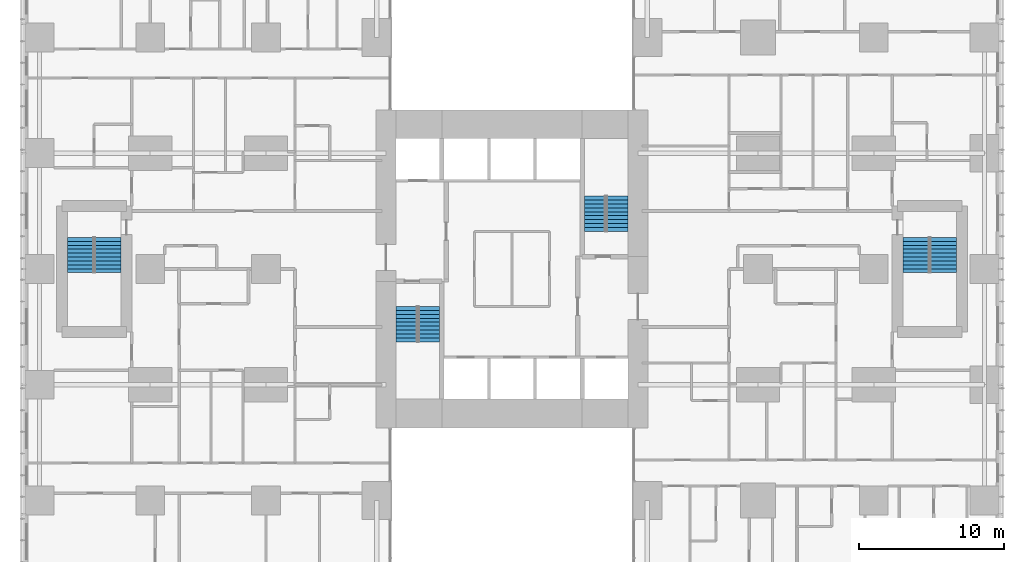
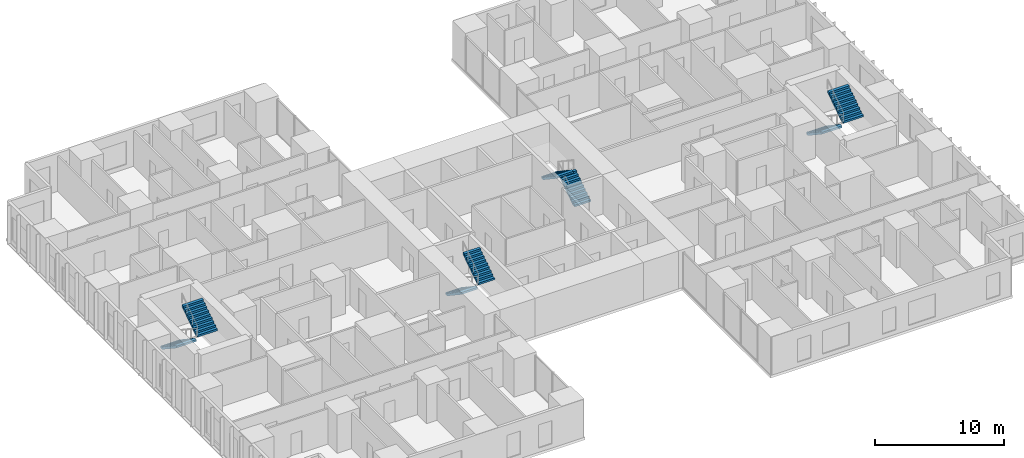
# One storey, part 20 of 21: 8 stair flights, 4 elements without a shape of their own.
"""IFC4 building model written with IfcOpenShell, lengths in metres."""

from ifc_helpers import new_model, si_unit, direction, frame, origin, place, context, subcontext, project, spatial, polyline, outline, extrude, material, type_object, element, aggregate, save


model = new_model("IFC4")

# Units and contexts
model_context = context("Model", 3, precision=1e-05, world=origin(), true_north=direction((0.0, 1.0)))
body_context = subcontext(model_context, "Body", "Model", "MODEL_VIEW")
ifc_project = project(units=[si_unit("LENGTHUNIT", "METRE"), si_unit("AREAUNIT", "SQUARE_METRE"), si_unit("VOLUMEUNIT", "CUBIC_METRE"), si_unit("PLANEANGLEUNIT", "RADIAN"), si_unit("MASSUNIT", "GRAM", prefix="KILO")], contexts=[model_context])

# Site, building, storey
site_placement = place(None, origin())
site = spatial("IfcSite", under=ifc_project, at=site_placement, CompositionType="ELEMENT")
building_placement = place(site_placement, origin())
building = spatial("IfcBuilding", under=site, at=building_placement, Name="Cleftline Residences", CompositionType="ELEMENT")
storey_placement = place(building_placement, frame((0.0, 0.0, 125.0)))
storey = spatial("IfcBuildingStorey", under=building, at=storey_placement, Name="L32", CompositionType="ELEMENT", Elevation=125.0)

# Stair, stair flights
ifc_material_1 = material(Name="Concrete B45, stone treads", Category="masonry")
stair_type_1 = type_object("IfcStairType", Name="STAIR A 1450 WIDE 180 RISER", PredefinedType="HALF_TURN_STAIR", material=ifc_material_1)
stair_1_placement = place(storey_placement, origin())
stair_1 = element("IfcStair", 1, at=stair_1_placement, inside=storey, type_object=stair_type_1, Name="Stair A L32", PredefinedType="HALF_TURN_STAIR")
ifc_material_2 = material(Name="Concrete B45", Category="concrete")
stair_flight_type_1 = type_object("IfcStairFlightType", Name="STAIR A FLIGHT 1450X180", PredefinedType="STRAIGHT", material=ifc_material_2)
stair_flight_1_placement = place(storey_placement, frame((25.72509765625, 21.39990234375, 0.0), z_axis=(0.0, 0.0, 1.0), x_axis=(0.0, -1.0, 0.0)))
stair_flight_1 = element("IfcStairFlight", 2, at=stair_flight_1_placement, type_object=stair_flight_type_1, Name="ST-A flight 1", NumberOfRisers=10, NumberOfTreads=9, PredefinedType="STRAIGHT", RiserHeight=0.18, TreadLength=0.27, context=body_context, shape_type="SweptSolid", body=[
    extrude(outline(polyline([(0.0, 0.0), (0.0, 0.013916015625), (0.0, 0.027587890625), (0.0, 0.04150390625), (0.0, 0.055419921875), (0.0, 0.0693359375), (0.0, 0.0830078125), (0.0, 0.096923828125), (0.0, 0.11083984375), (0.0, 0.12451171875), (0.0, 0.138427734375), (0.0, 0.15234375), (0.0, 0.166259765625), (0.0, 0.179931640625), (0.27001953125, 0.179931640625), (0.27001953125, 0.360107421875), (0.5400390625, 0.360107421875), (0.5400390625, 0.5400390625), (0.81005859375, 0.5400390625), (0.81005859375, 0.719970703125), (1.080078125, 0.719970703125), (1.080078125, 0.89990234375), (1.35009765625, 0.89990234375), (1.35009765625, 1.080078125), (1.6201171875, 1.080078125), (1.6201171875, 1.260009765625), (1.889892578125, 1.260009765625), (1.889892578125, 1.43994140625), (2.159912109375, 1.43994140625), (2.159912109375, 1.6201171875), (2.429931640625, 1.6201171875), (2.429931640625, 1.800048828125), (2.429931640625, 1.772216796875), (2.429931640625, 1.74462890625), (2.429931640625, 1.716796875), (2.429931640625, 1.689208984375), (2.429931640625, 1.661376953125), (2.429931640625, 1.6337890625), (2.429931640625, 1.60595703125), (2.429931640625, 1.578369140625), (2.429931640625, 1.550537109375), (2.429931640625, 1.52294921875), (2.429931640625, 1.495361328125), (2.429931640625, 1.467529296875), (2.429931640625, 1.43994140625), (0.270263671875, 0.0), (0.0, 0.0)])), frame((0.0, 0.72509765625, 0.0), z_axis=(0.0, -1.0, 0.0), x_axis=(1.0, 0.0, 0.0)), (0.0, 0.0, 1.0), 1.449951171875),
])
stair_flight_2_placement = place(storey_placement, frame((27.27490234375, 18.969970703125, 1.800048828125), z_axis=(0.0, 0.0, 1.0), x_axis=(0.0, 1.0, 0.0)))
stair_flight_2 = element("IfcStairFlight", 3, at=stair_flight_2_placement, type_object=stair_flight_type_1, Name="ST-A flight 2", NumberOfRisers=10, NumberOfTreads=9, PredefinedType="STRAIGHT", RiserHeight=0.18, TreadLength=0.27, context=body_context, shape_type="SweptSolid", body=[
    extrude(outline(polyline([(0.0, 0.0), (0.0, 0.013916015625), (0.0, 0.027587890625), (0.0, 0.04150390625), (0.0, 0.055419921875), (0.0, 0.0693359375), (0.0, 0.0830078125), (0.0, 0.096923828125), (0.0, 0.11083984375), (0.0, 0.12451171875), (0.0, 0.138427734375), (0.0, 0.15234375), (0.0, 0.166259765625), (0.0, 0.179931640625), (0.27001953125, 0.179931640625), (0.27001953125, 0.360107421875), (0.5400390625, 0.360107421875), (0.5400390625, 0.5400390625), (0.81005859375, 0.5400390625), (0.81005859375, 0.719970703125), (1.080078125, 0.719970703125), (1.080078125, 0.89990234375), (1.35009765625, 0.89990234375), (1.35009765625, 1.080078125), (1.6201171875, 1.080078125), (1.6201171875, 1.260009765625), (1.889892578125, 1.260009765625), (1.889892578125, 1.43994140625), (2.159912109375, 1.43994140625), (2.159912109375, 1.6201171875), (2.429931640625, 1.6201171875), (2.429931640625, 1.800048828125), (2.429931640625, 1.772216796875), (2.429931640625, 1.74462890625), (2.429931640625, 1.716796875), (2.429931640625, 1.689208984375), (2.429931640625, 1.661376953125), (2.429931640625, 1.6337890625), (2.429931640625, 1.60595703125), (2.429931640625, 1.578369140625), (2.429931640625, 1.550537109375), (2.429931640625, 1.52294921875), (2.429931640625, 1.495361328125), (2.429931640625, 1.467529296875), (2.429931640625, 1.43994140625), (0.270263671875, 0.0), (0.0, 0.0)])), frame((0.0, 0.72509765625, 0.0), z_axis=(0.0, -1.0, 0.0), x_axis=(1.0, 0.0, 0.0)), (0.0, 0.0, 1.0), 1.449951171875),
])
aggregate(stair_1, [stair_flight_1, stair_flight_2])

ifc_material_3 = material(Name="Concrete B45, stone treads", Category="masonry")
stair_type_2 = type_object("IfcStairType", Name="STAIR B 1450 WIDE 180 RISER", PredefinedType="HALF_TURN_STAIR", material=ifc_material_3)
stair_2_placement = place(storey_placement, origin())
stair_2 = element("IfcStair", 4, at=stair_2_placement, inside=storey, type_object=stair_type_2, Name="Stair B L32", PredefinedType="HALF_TURN_STAIR")
ifc_material_4 = material(Name="Concrete B45", Category="concrete")
stair_flight_type_2 = type_object("IfcStairFlightType", Name="STAIR B FLIGHT 1450X180", PredefinedType="STRAIGHT", material=ifc_material_4)
stair_flight_3_placement = place(storey_placement, frame((40.27490234375, 26.60009765625, 0.0), z_axis=(0.0, 0.0, 1.0), x_axis=(0.0, 1.0, 0.0)))
stair_flight_3 = element("IfcStairFlight", 5, at=stair_flight_3_placement, type_object=stair_flight_type_2, Name="ST-B flight 1", NumberOfRisers=10, NumberOfTreads=9, PredefinedType="STRAIGHT", RiserHeight=0.18, TreadLength=0.27, context=body_context, shape_type="SweptSolid", body=[
    extrude(outline(polyline([(0.0, 0.0), (0.0, 0.013916015625), (0.0, 0.027587890625), (0.0, 0.04150390625), (0.0, 0.055419921875), (0.0, 0.0693359375), (0.0, 0.0830078125), (0.0, 0.096923828125), (0.0, 0.11083984375), (0.0, 0.12451171875), (0.0, 0.138427734375), (0.0, 0.15234375), (0.0, 0.166259765625), (0.0, 0.179931640625), (0.27001953125, 0.179931640625), (0.27001953125, 0.360107421875), (0.5400390625, 0.360107421875), (0.5400390625, 0.5400390625), (0.81005859375, 0.5400390625), (0.81005859375, 0.719970703125), (1.080078125, 0.719970703125), (1.080078125, 0.89990234375), (1.35009765625, 0.89990234375), (1.35009765625, 1.080078125), (1.6201171875, 1.080078125), (1.6201171875, 1.260009765625), (1.889892578125, 1.260009765625), (1.889892578125, 1.43994140625), (2.159912109375, 1.43994140625), (2.159912109375, 1.6201171875), (2.429931640625, 1.6201171875), (2.429931640625, 1.800048828125), (2.429931640625, 1.772216796875), (2.429931640625, 1.74462890625), (2.429931640625, 1.716796875), (2.429931640625, 1.689208984375), (2.429931640625, 1.661376953125), (2.429931640625, 1.6337890625), (2.429931640625, 1.60595703125), (2.429931640625, 1.578369140625), (2.429931640625, 1.550537109375), (2.429931640625, 1.52294921875), (2.429931640625, 1.495361328125), (2.429931640625, 1.467529296875), (2.429931640625, 1.43994140625), (0.270263671875, 0.0), (0.0, 0.0)])), frame((0.0, 0.72509765625, 0.0), z_axis=(0.0, -1.0, 0.0), x_axis=(1.0, 0.0, 0.0)), (0.0, 0.0, 1.0), 1.449951171875),
])
stair_flight_4_placement = place(storey_placement, frame((38.72509765625, 29.030029296875, 1.800048828125), z_axis=(0.0, 0.0, 1.0), x_axis=(0.0, -1.0, 0.0)))
stair_flight_4 = element("IfcStairFlight", 6, at=stair_flight_4_placement, type_object=stair_flight_type_2, Name="ST-B flight 2", NumberOfRisers=10, NumberOfTreads=9, PredefinedType="STRAIGHT", RiserHeight=0.18, TreadLength=0.27, context=body_context, shape_type="SweptSolid", body=[
    extrude(outline(polyline([(0.0, 0.0), (0.0, 0.013916015625), (0.0, 0.027587890625), (0.0, 0.04150390625), (0.0, 0.055419921875), (0.0, 0.0693359375), (0.0, 0.0830078125), (0.0, 0.096923828125), (0.0, 0.11083984375), (0.0, 0.12451171875), (0.0, 0.138427734375), (0.0, 0.15234375), (0.0, 0.166259765625), (0.0, 0.179931640625), (0.27001953125, 0.179931640625), (0.27001953125, 0.360107421875), (0.5400390625, 0.360107421875), (0.5400390625, 0.5400390625), (0.81005859375, 0.5400390625), (0.81005859375, 0.719970703125), (1.080078125, 0.719970703125), (1.080078125, 0.89990234375), (1.35009765625, 0.89990234375), (1.35009765625, 1.080078125), (1.6201171875, 1.080078125), (1.6201171875, 1.260009765625), (1.889892578125, 1.260009765625), (1.889892578125, 1.43994140625), (2.159912109375, 1.43994140625), (2.159912109375, 1.6201171875), (2.429931640625, 1.6201171875), (2.429931640625, 1.800048828125), (2.429931640625, 1.772216796875), (2.429931640625, 1.74462890625), (2.429931640625, 1.716796875), (2.429931640625, 1.689208984375), (2.429931640625, 1.661376953125), (2.429931640625, 1.6337890625), (2.429931640625, 1.60595703125), (2.429931640625, 1.578369140625), (2.429931640625, 1.550537109375), (2.429931640625, 1.52294921875), (2.429931640625, 1.495361328125), (2.429931640625, 1.467529296875), (2.429931640625, 1.43994140625), (0.270263671875, 0.0), (0.0, 0.0)])), frame((0.0, 0.72509765625, 0.0), z_axis=(0.0, -1.0, 0.0), x_axis=(1.0, 0.0, 0.0)), (0.0, 0.0, 1.0), 1.449951171875),
])
aggregate(stair_2, [stair_flight_3, stair_flight_4])

ifc_material_5 = material(Name="Concrete B45, stone treads", Category="masonry")
stair_type_3 = type_object("IfcStairType", Name="STAIR E 1800 WIDE 180 RISER", PredefinedType="HALF_TURN_STAIR", material=ifc_material_5)
stair_3_placement = place(storey_placement, origin())
stair_3 = element("IfcStair", 7, at=stair_3_placement, inside=storey, type_object=stair_type_3, Name="Stair E L32", PredefinedType="HALF_TURN_STAIR")
ifc_material_6 = material(Name="Concrete B45", Category="concrete")
stair_flight_type_3 = type_object("IfcStairFlightType", Name="STAIR E FLIGHT 1800X180", PredefinedType="STRAIGHT", material=ifc_material_6)
stair_flight_5_placement = place(storey_placement, frame((60.925048828125, 26.175048828125, 0.0), z_axis=(0.0, 0.0, 1.0), x_axis=(0.0, -1.0, 0.0)))
stair_flight_5 = element("IfcStairFlight", 8, at=stair_flight_5_placement, type_object=stair_flight_type_3, Name="ST-E flight 1", NumberOfRisers=10, NumberOfTreads=9, PredefinedType="STRAIGHT", RiserHeight=0.18, TreadLength=0.27, context=body_context, shape_type="SweptSolid", body=[
    extrude(outline(polyline([(0.0, 0.0), (0.0, 0.013916015625), (0.0, 0.027587890625), (0.0, 0.04150390625), (0.0, 0.055419921875), (0.0, 0.0693359375), (0.0, 0.0830078125), (0.0, 0.096923828125), (0.0, 0.11083984375), (0.0, 0.12451171875), (0.0, 0.138427734375), (0.0, 0.15234375), (0.0, 0.166259765625), (0.0, 0.179931640625), (0.27001953125, 0.179931640625), (0.27001953125, 0.360107421875), (0.5400390625, 0.360107421875), (0.5400390625, 0.5400390625), (0.81005859375, 0.5400390625), (0.81005859375, 0.719970703125), (1.080078125, 0.719970703125), (1.080078125, 0.89990234375), (1.35009765625, 0.89990234375), (1.35009765625, 1.080078125), (1.6201171875, 1.080078125), (1.6201171875, 1.260009765625), (1.889892578125, 1.260009765625), (1.889892578125, 1.43994140625), (2.159912109375, 1.43994140625), (2.159912109375, 1.6201171875), (2.429931640625, 1.6201171875), (2.429931640625, 1.800048828125), (2.429931640625, 1.772216796875), (2.429931640625, 1.74462890625), (2.429931640625, 1.716796875), (2.429931640625, 1.689208984375), (2.429931640625, 1.661376953125), (2.429931640625, 1.6337890625), (2.429931640625, 1.60595703125), (2.429931640625, 1.578369140625), (2.429931640625, 1.550537109375), (2.429931640625, 1.52294921875), (2.429931640625, 1.495361328125), (2.429931640625, 1.467529296875), (2.429931640625, 1.43994140625), (0.270263671875, 0.0), (0.0, 0.0)])), frame((0.0, 0.89990234375, 0.0), z_axis=(0.0, -1.0, 0.0), x_axis=(1.0, 0.0, 0.0)), (0.0, 0.0, 1.0), 1.800048828125),
])
stair_flight_6_placement = place(storey_placement, frame((62.824951171875, 23.7451171875, 1.800048828125), z_axis=(0.0, 0.0, 1.0), x_axis=(0.0, 1.0, 0.0)))
stair_flight_6 = element("IfcStairFlight", 9, at=stair_flight_6_placement, type_object=stair_flight_type_3, Name="ST-E flight 2", NumberOfRisers=10, NumberOfTreads=9, PredefinedType="STRAIGHT", RiserHeight=0.18, TreadLength=0.27, context=body_context, shape_type="SweptSolid", body=[
    extrude(outline(polyline([(0.0, 0.0), (0.0, 0.013916015625), (0.0, 0.027587890625), (0.0, 0.04150390625), (0.0, 0.055419921875), (0.0, 0.0693359375), (0.0, 0.0830078125), (0.0, 0.096923828125), (0.0, 0.11083984375), (0.0, 0.12451171875), (0.0, 0.138427734375), (0.0, 0.15234375), (0.0, 0.166259765625), (0.0, 0.179931640625), (0.27001953125, 0.179931640625), (0.27001953125, 0.360107421875), (0.5400390625, 0.360107421875), (0.5400390625, 0.5400390625), (0.81005859375, 0.5400390625), (0.81005859375, 0.719970703125), (1.080078125, 0.719970703125), (1.080078125, 0.89990234375), (1.35009765625, 0.89990234375), (1.35009765625, 1.080078125), (1.6201171875, 1.080078125), (1.6201171875, 1.260009765625), (1.889892578125, 1.260009765625), (1.889892578125, 1.43994140625), (2.159912109375, 1.43994140625), (2.159912109375, 1.6201171875), (2.429931640625, 1.6201171875), (2.429931640625, 1.800048828125), (2.429931640625, 1.772216796875), (2.429931640625, 1.74462890625), (2.429931640625, 1.716796875), (2.429931640625, 1.689208984375), (2.429931640625, 1.661376953125), (2.429931640625, 1.6337890625), (2.429931640625, 1.60595703125), (2.429931640625, 1.578369140625), (2.429931640625, 1.550537109375), (2.429931640625, 1.52294921875), (2.429931640625, 1.495361328125), (2.429931640625, 1.467529296875), (2.429931640625, 1.43994140625), (0.270263671875, 0.0), (0.0, 0.0)])), frame((0.0, 0.89990234375, 0.0), z_axis=(0.0, -1.0, 0.0), x_axis=(1.0, 0.0, 0.0)), (0.0, 0.0, 1.0), 1.800048828125),
])
aggregate(stair_3, [stair_flight_5, stair_flight_6])

ifc_material_7 = material(Name="Concrete B45, stone treads", Category="masonry")
stair_type_4 = type_object("IfcStairType", Name="STAIR W 1800 WIDE 180 RISER", PredefinedType="HALF_TURN_STAIR", material=ifc_material_7)
stair_4_placement = place(storey_placement, origin())
stair_4 = element("IfcStair", 10, at=stair_4_placement, inside=storey, type_object=stair_type_4, Name="Stair W L32", PredefinedType="HALF_TURN_STAIR")
ifc_material_8 = material(Name="Concrete B45", Category="concrete")
stair_flight_type_4 = type_object("IfcStairFlightType", Name="STAIR W FLIGHT 1800X180", PredefinedType="STRAIGHT", material=ifc_material_8)
stair_flight_7_placement = place(storey_placement, frame((3.175048828125, 26.175048828125, 0.0), z_axis=(0.0, 0.0, 1.0), x_axis=(0.0, -1.0, 0.0)))
stair_flight_7 = element("IfcStairFlight", 11, at=stair_flight_7_placement, type_object=stair_flight_type_4, Name="ST-W flight 1", NumberOfRisers=10, NumberOfTreads=9, PredefinedType="STRAIGHT", RiserHeight=0.18, TreadLength=0.27, context=body_context, shape_type="SweptSolid", body=[
    extrude(outline(polyline([(0.0, 0.0), (0.0, 0.013916015625), (0.0, 0.027587890625), (0.0, 0.04150390625), (0.0, 0.055419921875), (0.0, 0.0693359375), (0.0, 0.0830078125), (0.0, 0.096923828125), (0.0, 0.11083984375), (0.0, 0.12451171875), (0.0, 0.138427734375), (0.0, 0.15234375), (0.0, 0.166259765625), (0.0, 0.179931640625), (0.27001953125, 0.179931640625), (0.27001953125, 0.360107421875), (0.5400390625, 0.360107421875), (0.5400390625, 0.5400390625), (0.81005859375, 0.5400390625), (0.81005859375, 0.719970703125), (1.080078125, 0.719970703125), (1.080078125, 0.89990234375), (1.35009765625, 0.89990234375), (1.35009765625, 1.080078125), (1.6201171875, 1.080078125), (1.6201171875, 1.260009765625), (1.889892578125, 1.260009765625), (1.889892578125, 1.43994140625), (2.159912109375, 1.43994140625), (2.159912109375, 1.6201171875), (2.429931640625, 1.6201171875), (2.429931640625, 1.800048828125), (2.429931640625, 1.772216796875), (2.429931640625, 1.74462890625), (2.429931640625, 1.716796875), (2.429931640625, 1.689208984375), (2.429931640625, 1.661376953125), (2.429931640625, 1.6337890625), (2.429931640625, 1.60595703125), (2.429931640625, 1.578369140625), (2.429931640625, 1.550537109375), (2.429931640625, 1.52294921875), (2.429931640625, 1.495361328125), (2.429931640625, 1.467529296875), (2.429931640625, 1.43994140625), (0.270263671875, 0.0), (0.0, 0.0)])), frame((0.0, 0.89990234375, 0.0), z_axis=(0.0, -1.0, 0.0), x_axis=(1.0, 0.0, 0.0)), (0.0, 0.0, 1.0), 1.800048828125),
])
stair_flight_8_placement = place(storey_placement, frame((5.074951171875, 23.7451171875, 1.800048828125), z_axis=(0.0, 0.0, 1.0), x_axis=(0.0, 1.0, 0.0)))
stair_flight_8 = element("IfcStairFlight", 12, at=stair_flight_8_placement, type_object=stair_flight_type_4, Name="ST-W flight 2", NumberOfRisers=10, NumberOfTreads=9, PredefinedType="STRAIGHT", RiserHeight=0.18, TreadLength=0.27, context=body_context, shape_type="SweptSolid", body=[
    extrude(outline(polyline([(0.0, 0.0), (0.0, 0.013916015625), (0.0, 0.027587890625), (0.0, 0.04150390625), (0.0, 0.055419921875), (0.0, 0.0693359375), (0.0, 0.0830078125), (0.0, 0.096923828125), (0.0, 0.11083984375), (0.0, 0.12451171875), (0.0, 0.138427734375), (0.0, 0.15234375), (0.0, 0.166259765625), (0.0, 0.179931640625), (0.27001953125, 0.179931640625), (0.27001953125, 0.360107421875), (0.5400390625, 0.360107421875), (0.5400390625, 0.5400390625), (0.81005859375, 0.5400390625), (0.81005859375, 0.719970703125), (1.080078125, 0.719970703125), (1.080078125, 0.89990234375), (1.35009765625, 0.89990234375), (1.35009765625, 1.080078125), (1.6201171875, 1.080078125), (1.6201171875, 1.260009765625), (1.889892578125, 1.260009765625), (1.889892578125, 1.43994140625), (2.159912109375, 1.43994140625), (2.159912109375, 1.6201171875), (2.429931640625, 1.6201171875), (2.429931640625, 1.800048828125), (2.429931640625, 1.772216796875), (2.429931640625, 1.74462890625), (2.429931640625, 1.716796875), (2.429931640625, 1.689208984375), (2.429931640625, 1.661376953125), (2.429931640625, 1.6337890625), (2.429931640625, 1.60595703125), (2.429931640625, 1.578369140625), (2.429931640625, 1.550537109375), (2.429931640625, 1.52294921875), (2.429931640625, 1.495361328125), (2.429931640625, 1.467529296875), (2.429931640625, 1.43994140625), (0.270263671875, 0.0), (0.0, 0.0)])), frame((0.0, 0.89990234375, 0.0), z_axis=(0.0, -1.0, 0.0), x_axis=(1.0, 0.0, 0.0)), (0.0, 0.0, 1.0), 1.800048828125),
])
aggregate(stair_4, [stair_flight_7, stair_flight_8])

save(model, "model.ifc")
